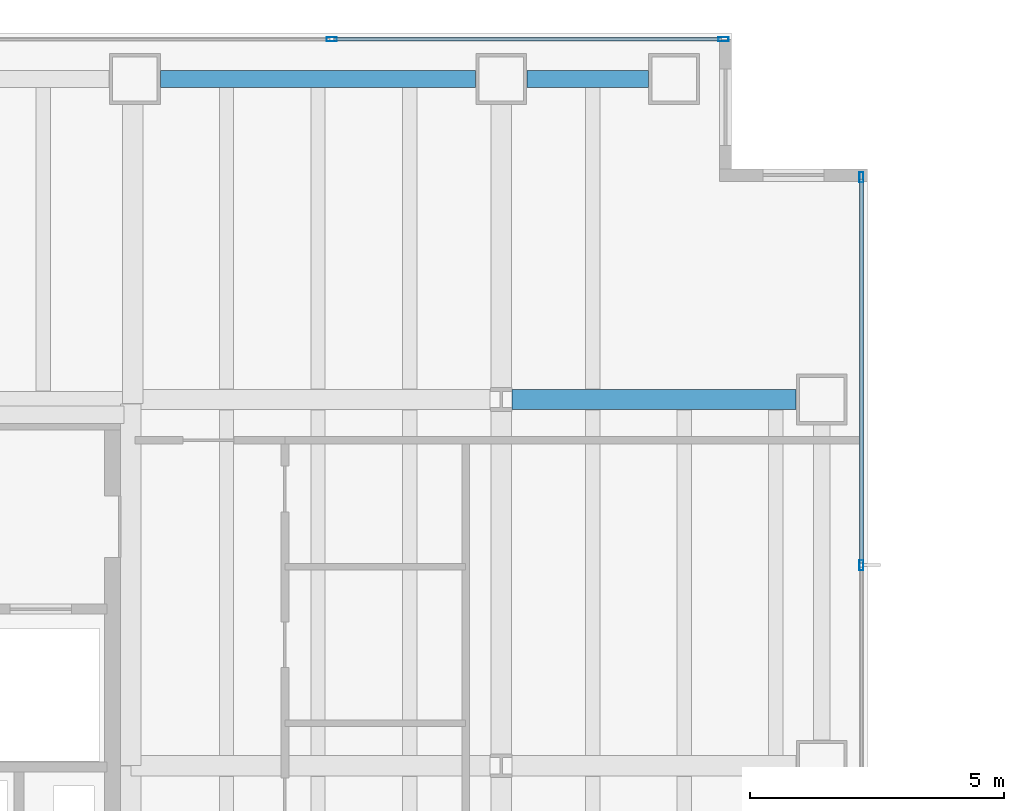
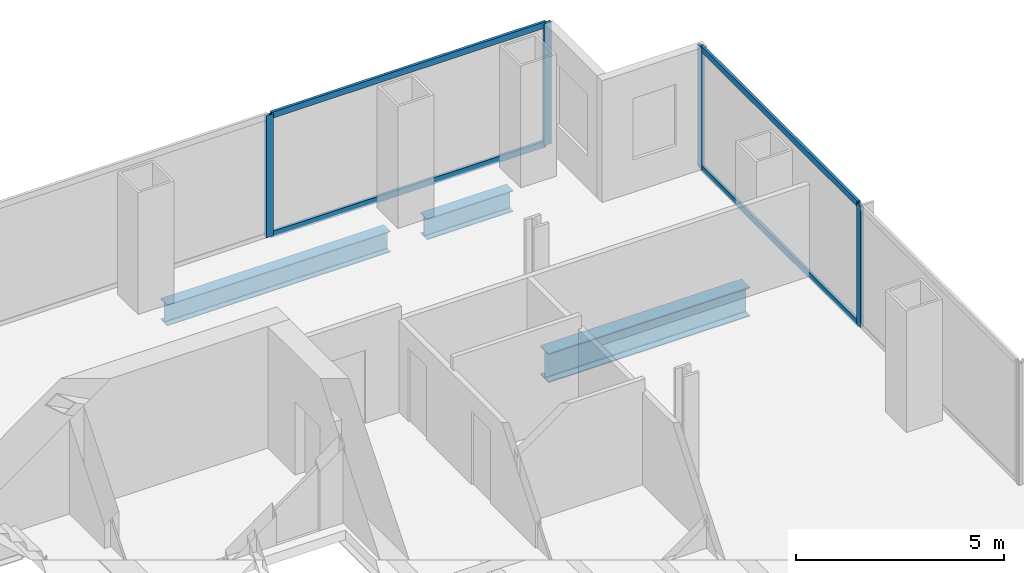
# One storey, part 18 of 25: 8 members, 3 beams, 2 elements without a shape of their own.
"""IFC4 building model written with IfcOpenShell, lengths in metres."""

import ifcopenshell
import ifcopenshell.guid

model = None  # the IFC model being written
_history = None  # IfcOwnerHistory: only IFC2X3 demands one
_inside = {}  # id of a spatial element -> (the spatial element, [elements in it])
_under = {}  # id of a project, library or spatial element -> (it, [spatial elements below it])
_declared = {}  # id of a project -> (the project, [libraries it declares])
_typed = {}  # id of a type object -> (the type object, [elements of that type])
_made_of = {}  # id of a material, layer set ... -> (it, [elements and type objects made of it])


def new_model(schema):
    """Start an empty IFC model of exactly this schema.

    Asked for "IFC4X3", IfcOpenShell would pick the latest addendum, in which some entities
    have other attributes; the version numbers below select the first issue.
    IFC2X3 requires an IfcOwnerHistory on every rooted entity: one is made here for all.
    """
    global model, _history
    if schema == "IFC4X3":
        model = ifcopenshell.file(schema_version=(4, 3, 0, 0))
    else:
        model = ifcopenshell.file(schema=schema)
    _inside.clear()
    _under.clear()
    _declared.clear()
    _typed.clear()
    _made_of.clear()
    _history = None
    if model.schema == "IFC2X3":
        org = make("IfcOrganization", Name="unknown")
        user = make(
            "IfcPersonAndOrganization",
            ThePerson=make("IfcPerson", FamilyName="unknown"),
            TheOrganization=org,
        )
        app = make(
            "IfcApplication",
            ApplicationDeveloper=org,
            Version="unknown",
            ApplicationFullName="unknown",
            ApplicationIdentifier="unknown",
        )
        _history = make(
            "IfcOwnerHistory",
            OwningUser=user,
            OwningApplication=app,
            ChangeAction="ADDED",
            CreationDate=0,
        )
    return model


def make(cls, **values):
    """One entity of the class cls with the attributes given. An attribute that is None is left unset."""
    return model.create_entity(
        cls, **{name: value for name, value in values.items() if value is not None}
    )


def rooted(cls, **values):
    """An entity with a GlobalId (a new one), such as an element, a storey or a relation."""
    return make(cls, GlobalId=ifcopenshell.guid.new(), OwnerHistory=_history, **values)


def si_unit(unit_type, name, prefix=None):
    """IfcSIUnit, for example si_unit("LENGTHUNIT", "METRE", prefix="MILLI")."""
    return make("IfcSIUnit", UnitType=unit_type, Prefix=prefix, Name=name)


def assignment(units):
    """IfcUnitAssignment: the units of a project."""
    return None if units is None else make("IfcUnitAssignment", Units=units)


def point(xyz):
    """IfcCartesianPoint."""
    return None if xyz is None else make("IfcCartesianPoint", Coordinates=xyz)


def direction(xyz):
    """IfcDirection."""
    return None if xyz is None else make("IfcDirection", DirectionRatios=xyz)


def frame(location, z_axis=None, x_axis=None):
    """IfcAxis2Placement3D, a coordinate frame: its origin and axes. An axis left out is left unset."""
    return make(
        "IfcAxis2Placement3D",
        Location=point(location),
        Axis=direction(z_axis),
        RefDirection=direction(x_axis),
    )


def frame_2d(location, x_axis=None):
    """IfcAxis2Placement2D, a coordinate frame in the plane: its origin and x axis."""
    return make(
        "IfcAxis2Placement2D", Location=point(location), RefDirection=direction(x_axis)
    )


def origin():
    """The frame at (0, 0, 0) with its axes left unset."""
    return frame((0.0, 0.0, 0.0))


def origin_2d():
    """The frame at (0, 0) in the plane with its x axis left unset."""
    return frame_2d((0.0, 0.0))


def place(relative_to, where):
    """IfcLocalPlacement: puts the frame where relative to a parent placement (None: the world)."""
    return make(
        "IfcLocalPlacement", PlacementRelTo=relative_to, RelativePlacement=where
    )


def context(
    kind, dimensions, precision=None, world=None, true_north=None, identifier=None
):
    """IfcGeometricRepresentationContext, for example the 3D "Model" context."""
    return make(
        "IfcGeometricRepresentationContext",
        ContextIdentifier=identifier,
        ContextType=kind,
        CoordinateSpaceDimension=dimensions,
        Precision=precision,
        WorldCoordinateSystem=world,
        TrueNorth=true_north,
    )


def subcontext(parent, identifier, kind, view, scale=None):
    """IfcGeometricRepresentationSubContext, for example "Body" below "Model"."""
    return make(
        "IfcGeometricRepresentationSubContext",
        ContextIdentifier=identifier,
        ContextType=kind,
        ParentContext=parent,
        TargetScale=scale,
        TargetView=view,
    )


def project(units=None, contexts=None):
    """IfcProject with its units and contexts."""
    return rooted(
        "IfcProject",
        Name="project",
        RepresentationContexts=contexts,
        UnitsInContext=assignment(units),
    )


def spatial(cls, under=None, at=None, **own):
    """A site, building, storey or space (cls), placed at a placement, below another one or the project."""
    s = rooted(cls, ObjectPlacement=at, **own)
    if under is not None:
        _under.setdefault(under.id(), (under, []))[1].append(s)
    return s


def profile(cls, at=None, kind="AREA", **sizes):
    """A parametric profile (cls). Its sizes go by their IFC names, for example OverallWidth=200.0."""
    return make(cls, ProfileType=kind, Position=at, **sizes)


def hollow_rectangle(**sizes):
    """IfcRectangleHollowProfileDef."""
    return profile("IfcRectangleHollowProfileDef", **sizes)


def i_section(**sizes):
    """IfcIShapeProfileDef."""
    return profile("IfcIShapeProfileDef", **sizes)


def extrude(swept, where, along, depth):
    """IfcExtrudedAreaSolid: the profile swept, set in the frame where, extruded along a direction by depth."""
    return make(
        "IfcExtrudedAreaSolid",
        SweptArea=swept,
        Position=where,
        ExtrudedDirection=direction(along),
        Depth=depth,
    )


def shape(context_of_items, identifier, shape_type, items):
    """IfcShapeRepresentation: the items that make up one representation, for example the "Body"."""
    return make(
        "IfcShapeRepresentation",
        ContextOfItems=context_of_items,
        RepresentationIdentifier=identifier,
        RepresentationType=shape_type,
        Items=items,
    )


def material(Name=None, Category=None):
    """IfcMaterial."""
    return make("IfcMaterial", Name=Name, Category=Category)


def material_profile(
    of_material, cross_section, Name=None, Category=None, Priority=None
):
    """IfcMaterialProfile: a cross section and its material."""
    return make(
        "IfcMaterialProfile",
        Name=Name,
        Material=of_material,
        Profile=cross_section,
        Priority=Priority,
        Category=Category,
    )


def profile_set(profiles, Name=None, composite=None):
    """IfcMaterialProfileSet."""
    return make(
        "IfcMaterialProfileSet",
        Name=Name,
        MaterialProfiles=profiles,
        CompositeProfile=composite,
    )


def made_of(thing, what):
    """Note that an element or type object is made of a material, layer set ...; save() writes the relation."""
    if what is not None:
        _made_of.setdefault(what.id(), (what, []))[1].append(thing)
    return thing


def type_object(cls, material=None, **own):
    """A type object (cls), such as IfcWallType, which elements share."""
    return made_of(rooted(cls, **own), material)


def element(
    cls,
    number,
    at=None,
    inside=None,
    cuts=None,
    type_object=None,
    material=None,
    context=None,
    identifier="Body",
    shape_type=None,
    held_by="IfcProductDefinitionShape",
    body=None,
    shapes=None,
    **own,
):
    """One element of the class cls, such as IfcWall. Its Tag is "e" and its number.

    at: its placement. inside: the storey or other place that contains it. cuts: it is an
    opening in that element (IfcRelVoidsElement). A single representation is given by context,
    identifier, shape_type and body (its items); several are given by shapes. held_by: the class
    of the entity that holds the representations. save() writes the other relations.
    """
    e = rooted(cls, Tag="e%d" % number, ObjectPlacement=at, **own)
    if body is not None:
        shapes = [shape(context, identifier, shape_type, body)]
    if shapes is not None:
        e.Representation = make(held_by, Representations=shapes)
    if inside is not None:
        _inside.setdefault(inside.id(), (inside, []))[1].append(e)
    if cuts is not None:
        rooted(
            "IfcRelVoidsElement", RelatingBuildingElement=cuts, RelatedOpeningElement=e
        )
    if type_object is not None:
        _typed.setdefault(type_object.id(), (type_object, []))[1].append(e)
    return made_of(e, material)


def aggregate(whole, parts):
    """IfcRelAggregates: a whole, such as a stair, and the parts it consists of."""
    return rooted("IfcRelAggregates", RelatingObject=whole, RelatedObjects=parts)


def save(model, path):
    """Write the relations noted so far, then the file.

    IfcRelAggregates (storeys below a building ...), IfcRelContainedInSpatialStructure (elements
    in a storey), IfcRelDefinesByType, IfcRelAssociatesMaterial and IfcRelDeclares: one each for
    every whole, place, type object, material and project.
    """
    for whole, parts in _under.values():
        aggregate(whole, parts)
    for where, things in _inside.values():
        rooted(
            "IfcRelContainedInSpatialStructure",
            RelatedElements=things,
            RelatingStructure=where,
        )
    for kind, things in _typed.values():
        rooted("IfcRelDefinesByType", RelatedObjects=things, RelatingType=kind)
    for what, things in _made_of.values():
        rooted("IfcRelAssociatesMaterial", RelatedObjects=things, RelatingMaterial=what)
    for by, libraries in _declared.values():
        rooted("IfcRelDeclares", RelatingContext=by, RelatedDefinitions=libraries)
    model.write(path)


model = new_model("IFC4")

# Units and contexts
model_context = context("Model", 3, precision=1e-05, world=origin(), true_north=direction((0.0, 1.0)))
body_context = subcontext(model_context, "Body", "Model", "MODEL_VIEW")
ifc_project = project(units=[si_unit("LENGTHUNIT", "METRE"), si_unit("AREAUNIT", "SQUARE_METRE"), si_unit("VOLUMEUNIT", "CUBIC_METRE"), si_unit("PLANEANGLEUNIT", "RADIAN"), si_unit("MASSUNIT", "GRAM", prefix="KILO")], contexts=[model_context])

# Site, building, storey
site_placement = place(None, origin())
site = spatial("IfcSite", under=ifc_project, at=site_placement, CompositionType="ELEMENT")
building_placement = place(site_placement, origin())
building = spatial("IfcBuilding", under=site, at=building_placement, Name="Cobrela Telecom Tower", CompositionType="ELEMENT")
storey_placement = place(building_placement, frame((0.0, 0.0, 58.10009765625)))
storey = spatial("IfcBuildingStorey", under=building, at=storey_placement, Name="L14", CompositionType="ELEMENT", Elevation=58.10009765625)

# Beams
ifc_material_1 = material(Name="Steel ASTM A992 Grade 50", Category="steel")
ifc_material_profile_1 = material_profile(ifc_material_1, i_section(OverallWidth=0.39892578125, OverallDepth=0.85595703125, WebThickness=0.018310546875, FlangeThickness=0.029296875, FilletRadius=0.02001953125, at=origin_2d()), Name="W33X201")
ifc_profile_set_1 = profile_set([ifc_material_profile_1], Name="Steel ASTM A992 Grade 50")
beam_type_1 = type_object("IfcBeamType", Name="BM-GIRD-03", PredefinedType="USERDEFINED", material=ifc_profile_set_1)
beam_1_placement = place(storey_placement, frame((21.81591796875, 36.0, -0.7080078125), z_axis=(1.0, 0.0, 0.0), x_axis=(0.0, 1.0, 0.0)))
element("IfcBeam", 1, at=beam_1_placement, inside=storey, type_object=beam_type_1, Name="L14 Primary Girder X28", ObjectType="GIRDER", PredefinedType="USERDEFINED", context=body_context, shape_type="SweptSolid", body=[
    extrude(i_section(OverallWidth=0.39892578125, OverallDepth=0.85595703125, WebThickness=0.018310546875, FlangeThickness=0.029296875, FilletRadius=0.02001953125, at=origin_2d()), origin(), (0.0, 0.0, 1.0), 5.5791015625),
])
ifc_material_profile_2 = material_profile(ifc_material_1, i_section(OverallWidth=0.324951171875, OverallDepth=0.612060546875, WebThickness=0.0126953125, FlangeThickness=0.01904296875, FilletRadius=0.014892578125, at=origin_2d()), Name="W24X104")
ifc_profile_set_2 = profile_set([ifc_material_profile_2], Name="Steel ASTM A992 Grade 50")
beam_type_2 = type_object("IfcBeamType", Name="BM-SPAND-02", PredefinedType="SPANDREL", material=ifc_profile_set_2)
beam_2_placement = place(storey_placement, frame((14.905029296875, 42.300048828125, -0.586181640625), z_axis=(1.0, 0.0, 0.0), x_axis=(0.0, 1.0, 0.0)))
element("IfcBeam", 2, at=beam_2_placement, inside=storey, type_object=beam_type_2, Name="L14 Perimeter Spandrel X30", PredefinedType="SPANDREL", context=body_context, shape_type="SweptSolid", body=[
    extrude(i_section(OverallWidth=0.324951171875, OverallDepth=0.612060546875, WebThickness=0.0126953125, FlangeThickness=0.01904296875, FilletRadius=0.014892578125, at=origin_2d()), origin(), (0.0, 0.0, 1.0), 6.18994140625),
])
beam_3_placement = place(storey_placement, frame((22.10498046875, 42.300048828125, -0.586181640625), z_axis=(1.0, 0.0, 0.0), x_axis=(0.0, 1.0, 0.0)))
element("IfcBeam", 3, at=beam_3_placement, inside=storey, type_object=beam_type_2, Name="L14 Perimeter Spandrel X31", PredefinedType="SPANDREL", context=body_context, shape_type="SweptSolid", body=[
    extrude(i_section(OverallWidth=0.324951171875, OverallDepth=0.612060546875, WebThickness=0.0126953125, FlangeThickness=0.01904296875, FilletRadius=0.014892578125, at=origin_2d()), origin(), (0.0, 0.0, 1.0), 2.39013671875),
])

# Curtain wall, members
ifc_material_2 = material(Name="Anodized Bronze Aluminium 6063-T6", Category="aluminium")
curtain_wall_type = type_object("IfcCurtainWallType", Name="CW-SYS-DATA", PredefinedType="USERDEFINED", material=ifc_material_2)
curtain_wall_1_placement = place(storey_placement, origin())
curtain_wall_1 = element("IfcCurtainWall", 4, at=curtain_wall_1_placement, inside=storey, type_object=curtain_wall_type, Name="L14 Unitised Bronze Curtain Wall 07", ObjectType="UNITISED CURTAIN WALL", PredefinedType="USERDEFINED")
ifc_material_profile_3 = material_profile(ifc_material_2, hollow_rectangle(XDim=0.080078125, YDim=0.199951171875, WallThickness=0.00390625, at=origin_2d()), Name="ALU 80x200x4")
ifc_profile_set_3 = profile_set([ifc_material_profile_3], Name="Anodized Bronze Aluminium 6063-T6")
member_type_1 = type_object("IfcMemberType", Name="CW-SYS-DATA-MUL", PredefinedType="MULLION", material=ifc_profile_set_3)
member_1_placement = place(storey_placement, frame((18.27001953125, 43.080078125, 0.0), z_axis=(0.0, 0.0, 1.0), x_axis=(0.0, 1.0, 0.0)))
member_1 = element("IfcMember", 5, at=member_1_placement, type_object=member_type_1, Name="CW-DATA mullion 3", PredefinedType="MULLION", context=body_context, shape_type="SweptSolid", body=[
    extrude(hollow_rectangle(XDim=0.080078125, YDim=0.199951171875, WallThickness=0.00390625, at=origin_2d()), origin(), (0.0, 0.0, 1.0), 3.56982421875),
])
member_2_placement = place(storey_placement, frame((25.969970703125, 43.080078125, 0.0), z_axis=(0.0, 0.0, 1.0), x_axis=(0.0, 1.0, 0.0)))
member_2 = element("IfcMember", 6, at=member_2_placement, type_object=member_type_1, Name="CW-DATA mullion 4", PredefinedType="MULLION", context=body_context, shape_type="SweptSolid", body=[
    extrude(hollow_rectangle(XDim=0.080078125, YDim=0.199951171875, WallThickness=0.00390625, at=origin_2d()), origin(), (0.0, 0.0, 1.0), 3.56982421875),
])

curtain_wall_2_placement = place(storey_placement, origin())
curtain_wall_2 = element("IfcCurtainWall", 7, at=curtain_wall_2_placement, inside=storey, type_object=curtain_wall_type, Name="L14 Unitised Bronze Curtain Wall 10", ObjectType="UNITISED CURTAIN WALL", PredefinedType="USERDEFINED")
member_3_placement = place(storey_placement, frame((28.679931640625, 40.3701171875, 0.0), z_axis=(0.0, 0.0, 1.0), x_axis=(1.0, 0.0, 0.0)))
member_3 = element("IfcMember", 8, at=member_3_placement, type_object=member_type_1, Name="CW-DATA mullion 1", PredefinedType="MULLION", context=body_context, shape_type="SweptSolid", body=[
    extrude(hollow_rectangle(XDim=0.080078125, YDim=0.199951171875, WallThickness=0.00390625, at=origin_2d()), origin(), (0.0, 0.0, 1.0), 3.56982421875),
])
member_4_placement = place(storey_placement, frame((28.679931640625, 32.7451171875, 0.0), z_axis=(0.0, 0.0, 1.0), x_axis=(1.0, 0.0, 0.0)))
member_4 = element("IfcMember", 9, at=member_4_placement, type_object=member_type_1, Name="CW-DATA mullion 2", PredefinedType="MULLION", context=body_context, shape_type="SweptSolid", body=[
    extrude(hollow_rectangle(XDim=0.080078125, YDim=0.199951171875, WallThickness=0.00390625, at=origin_2d()), origin(), (0.0, 0.0, 1.0), 3.56982421875),
])

# Member
ifc_material_profile_4 = material_profile(ifc_material_2, hollow_rectangle(XDim=0.074951171875, YDim=0.179931640625, WallThickness=0.00390625, at=origin_2d()), Name="ALU 75x180x4")
ifc_profile_set_4 = profile_set([ifc_material_profile_4], Name="Anodized Bronze Aluminium 6063-T6")
member_type_2 = type_object("IfcMemberType", Name="CW-SYS-DATA-TRN", PredefinedType="USERDEFINED", material=ifc_profile_set_4)
member_5_placement = place(storey_placement, frame((18.31005859375, 43.080078125, 0.037353515625), z_axis=(1.0, 0.0, 0.0), x_axis=(0.0, 1.0, 0.0)))
member_5 = element("IfcMember", 10, at=member_5_placement, type_object=member_type_2, Name="CW-DATA transom 3.1", ObjectType="TRANSOM", PredefinedType="USERDEFINED", context=body_context, shape_type="SweptSolid", body=[
    extrude(hollow_rectangle(XDim=0.074951171875, YDim=0.179931640625, WallThickness=0.00390625, at=origin_2d()), origin(), (0.0, 0.0, 1.0), 7.619873046875),
])

member_6_placement = place(storey_placement, frame((18.31005859375, 43.080078125, 3.532470703125), z_axis=(1.0, 0.0, 0.0), x_axis=(0.0, 1.0, 0.0)))
member_6 = element("IfcMember", 11, at=member_6_placement, type_object=member_type_2, Name="CW-DATA transom 3.2", ObjectType="TRANSOM", PredefinedType="USERDEFINED", context=body_context, shape_type="SweptSolid", body=[
    extrude(hollow_rectangle(XDim=0.074951171875, YDim=0.179931640625, WallThickness=0.00390625, at=origin_2d()), origin(), (0.0, 0.0, 1.0), 7.619873046875),
])

aggregate(curtain_wall_1, [member_1, member_2, member_5, member_6])

member_7_placement = place(storey_placement, frame((28.679931640625, 40.330078125, 0.037353515625), z_axis=(0.0, -1.0, 0.0), x_axis=(1.0, 0.0, 0.0)))
member_7 = element("IfcMember", 12, at=member_7_placement, type_object=member_type_2, Name="CW-DATA transom 1.1", ObjectType="TRANSOM", PredefinedType="USERDEFINED", context=body_context, shape_type="SweptSolid", body=[
    extrude(hollow_rectangle(XDim=0.074951171875, YDim=0.179931640625, WallThickness=0.00390625, at=origin_2d()), origin(), (0.0, 0.0, 1.0), 7.545166015625),
])

member_8_placement = place(storey_placement, frame((28.679931640625, 40.330078125, 3.532470703125), z_axis=(0.0, -1.0, 0.0), x_axis=(1.0, 0.0, 0.0)))
member_8 = element("IfcMember", 13, at=member_8_placement, type_object=member_type_2, Name="CW-DATA transom 1.2", ObjectType="TRANSOM", PredefinedType="USERDEFINED", context=body_context, shape_type="SweptSolid", body=[
    extrude(hollow_rectangle(XDim=0.074951171875, YDim=0.179931640625, WallThickness=0.00390625, at=origin_2d()), origin(), (0.0, 0.0, 1.0), 7.545166015625),
])

aggregate(curtain_wall_2, [member_3, member_4, member_7, member_8])

save(model, "model.ifc")
